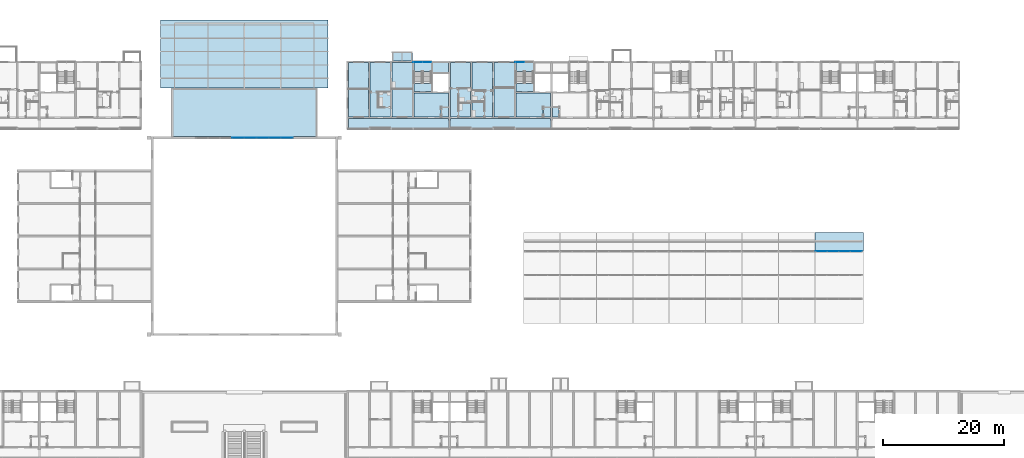
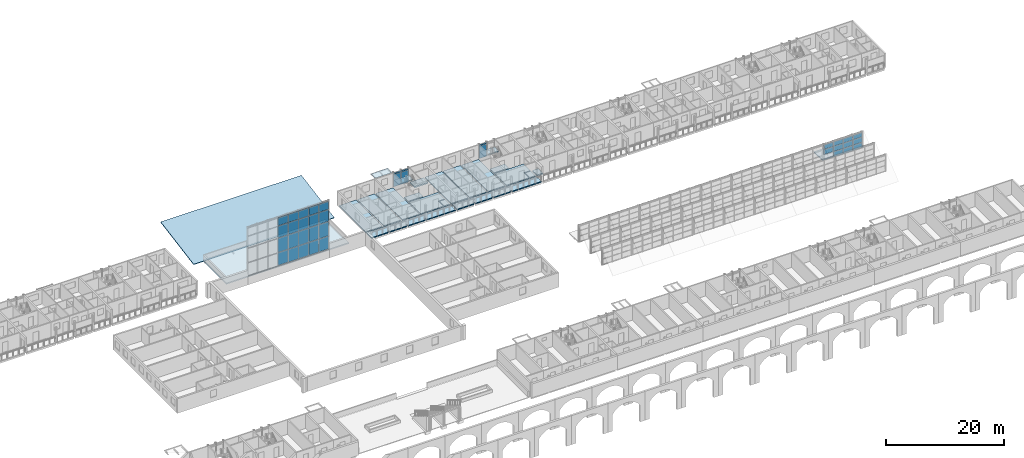
# One storey, part 51 of 122: 37 plates, 22 slabs, 6 elements without a shape of their own.
"""IFC4 building model written with IfcOpenShell, lengths in metres."""

from ifc_helpers import new_model, si_unit, direction, frame, origin, origin_2d, place, context, subcontext, project, spatial, polyline, rectangle, outline, extrude, material, layer, layer_set, type_object, element, aggregate, save


model = new_model("IFC4")

# Units and contexts
model_context = context("Model", 3, precision=1e-05, world=origin(), true_north=direction((0.0, 1.0)))
body_context = subcontext(model_context, "Body", "Model", "MODEL_VIEW")
ifc_project = project(units=[si_unit("LENGTHUNIT", "METRE"), si_unit("AREAUNIT", "SQUARE_METRE"), si_unit("VOLUMEUNIT", "CUBIC_METRE"), si_unit("PLANEANGLEUNIT", "RADIAN"), si_unit("MASSUNIT", "GRAM", prefix="KILO")], contexts=[model_context])

# Site, building, storey
site_placement = place(None, origin())
site = spatial("IfcSite", under=ifc_project, at=site_placement, CompositionType="ELEMENT")
building_placement = place(site_placement, origin())
building = spatial("IfcBuilding", under=site, at=building_placement, Name="Ridgestep Commons", CompositionType="ELEMENT")
storey_placement = place(building_placement, frame((0.0, 0.0, 3.0)))
storey = spatial("IfcBuildingStorey", under=building, at=storey_placement, Name="L01", CompositionType="ELEMENT", Elevation=3.0)

# Slab
ifc_material_1 = material(Name="Precast concrete C40/50", Category="concrete")
ifc_layer_1 = layer(ifc_material_1, 0.1201171875)
ifc_layer_set_1 = layer_set([ifc_layer_1], Name="Canopy roof deck 120 C40/50")
slab_type_1 = type_object("IfcSlabType", Name="Canopy roof deck 120 C40/50", PredefinedType="ROOF", material=ifc_layer_set_1)
slab_1_placement = place(storey_placement, frame((116.0, 72.800048828125, 1.201904296875), z_axis=(0.0, -0.175812176845, 0.984423729129), x_axis=(1.0, 0.0, 0.0)))
element("IfcSlab", 1, at=slab_1_placement, inside=storey, type_object=slab_type_1, Name="Canopy roof deck", PredefinedType="ROOF", context=body_context, shape_type="SweptSolid", body=[
    extrude(outline(polyline([(0.0, 0.0), (27.60009765625, 0.0), (27.60009765625, 11.37716497526905), (0.0, 11.37716497526905), (0.0, 0.0)])), origin(), (0.0, 0.0, -1.0), 0.1201171875),
])

# Curtain wall, plates
ifc_material_2 = material(Name="Aluminium and glass", Category="aluminium")
ifc_layer_2 = layer(ifc_material_2, 0.14990234375)
ifc_layer_set_2 = layer_set([ifc_layer_2], Name="Shop clerestory curtain wall")
curtain_wall_type_1 = type_object("IfcCurtainWallType", Name="Shop clerestory curtain wall", PredefinedType="NOTDEFINED", material=ifc_layer_set_2)
curtain_wall_1_placement = place(storey_placement, origin())
curtain_wall_1 = element("IfcCurtainWall", 2, at=curtain_wall_1_placement, inside=storey, type_object=curtain_wall_type_1, Name="Shop clerestory curtain wall", PredefinedType="NOTDEFINED")
ifc_material_3 = material(Name="Glass", Category="glass")
ifc_layer_3 = layer(ifc_material_3, 0.011962890625)
ifc_layer_set_3 = layer_set([ifc_layer_3], Name="Community glass panel 12")
plate_type_1 = type_object("IfcPlateType", Name="Community glass panel 12", PredefinedType="CURTAIN_PANEL", material=ifc_layer_set_3)
plate_1_placement = place(storey_placement, frame((224.890625, 45.89990234375, 2.4248046875), z_axis=(0.0, 0.0, 1.0), x_axis=(1.0, 0.0, 0.0)))
plate_1 = element("IfcPlate", 3, at=plate_1_placement, type_object=plate_type_1, Name="CW5 panel 1.2", PredefinedType="CURTAIN_PANEL", context=body_context, shape_type="SweptSolid", body=[
    extrude(rectangle(XDim=1.831298828125, YDim=0.011962890625, at=origin_2d()), origin(), (0.0, 0.0, 1.0), 1.050048828125),
])
plate_2_placement = place(storey_placement, frame((224.890625, 45.89990234375, 3.52490234375), z_axis=(0.0, 0.0, 1.0), x_axis=(1.0, 0.0, 0.0)))
plate_2 = element("IfcPlate", 4, at=plate_2_placement, type_object=plate_type_1, Name="CW5 panel 1.3", PredefinedType="CURTAIN_PANEL", context=body_context, shape_type="SweptSolid", body=[
    extrude(rectangle(XDim=1.831298828125, YDim=0.011962890625, at=origin_2d()), origin(), (0.0, 0.0, 1.0), 0.925048828125),
])
plate_3_placement = place(storey_placement, frame((226.784423828125, 45.89990234375, 1.25), z_axis=(0.0, 0.0, 1.0), x_axis=(1.0, 0.0, 0.0)))
plate_3 = element("IfcPlate", 5, at=plate_3_placement, type_object=plate_type_1, Name="CW5 panel 2.1", PredefinedType="CURTAIN_PANEL", context=body_context, shape_type="SweptSolid", body=[
    extrude(rectangle(XDim=1.856201171875, YDim=0.011962890625, at=origin_2d()), origin(), (0.0, 0.0, 1.0), 1.125),
])
plate_4_placement = place(storey_placement, frame((226.784423828125, 45.89990234375, 2.4248046875), z_axis=(0.0, 0.0, 1.0), x_axis=(1.0, 0.0, 0.0)))
plate_4 = element("IfcPlate", 6, at=plate_4_placement, type_object=plate_type_1, Name="CW5 panel 2.2", PredefinedType="CURTAIN_PANEL", context=body_context, shape_type="SweptSolid", body=[
    extrude(rectangle(XDim=1.856201171875, YDim=0.011962890625, at=origin_2d()), origin(), (0.0, 0.0, 1.0), 1.050048828125),
])
plate_5_placement = place(storey_placement, frame((226.784423828125, 45.89990234375, 3.52490234375), z_axis=(0.0, 0.0, 1.0), x_axis=(1.0, 0.0, 0.0)))
plate_5 = element("IfcPlate", 7, at=plate_5_placement, type_object=plate_type_1, Name="CW5 panel 2.3", PredefinedType="CURTAIN_PANEL", context=body_context, shape_type="SweptSolid", body=[
    extrude(rectangle(XDim=1.856201171875, YDim=0.011962890625, at=origin_2d()), origin(), (0.0, 0.0, 1.0), 0.925048828125),
])
plate_6_placement = place(storey_placement, frame((228.690673828125, 45.89990234375, 1.25), z_axis=(0.0, 0.0, 1.0), x_axis=(1.0, 0.0, 0.0)))
plate_6 = element("IfcPlate", 8, at=plate_6_placement, type_object=plate_type_1, Name="CW5 panel 3.1", PredefinedType="CURTAIN_PANEL", context=body_context, shape_type="SweptSolid", body=[
    extrude(rectangle(XDim=1.856201171875, YDim=0.011962890625, at=origin_2d()), origin(), (0.0, 0.0, 1.0), 1.125),
])
plate_7_placement = place(storey_placement, frame((228.690673828125, 45.89990234375, 2.4248046875), z_axis=(0.0, 0.0, 1.0), x_axis=(1.0, 0.0, 0.0)))
plate_7 = element("IfcPlate", 9, at=plate_7_placement, type_object=plate_type_1, Name="CW5 panel 3.2", PredefinedType="CURTAIN_PANEL", context=body_context, shape_type="SweptSolid", body=[
    extrude(rectangle(XDim=1.856201171875, YDim=0.011962890625, at=origin_2d()), origin(), (0.0, 0.0, 1.0), 1.050048828125),
])
plate_8_placement = place(storey_placement, frame((228.690673828125, 45.89990234375, 3.52490234375), z_axis=(0.0, 0.0, 1.0), x_axis=(1.0, 0.0, 0.0)))
plate_8 = element("IfcPlate", 10, at=plate_8_placement, type_object=plate_type_1, Name="CW5 panel 3.3", PredefinedType="CURTAIN_PANEL", context=body_context, shape_type="SweptSolid", body=[
    extrude(rectangle(XDim=1.856201171875, YDim=0.011962890625, at=origin_2d()), origin(), (0.0, 0.0, 1.0), 0.925048828125),
])
plate_9_placement = place(storey_placement, frame((230.58447265625, 45.89990234375, 1.25), z_axis=(0.0, 0.0, 1.0), x_axis=(1.0, 0.0, 0.0)))
plate_9 = element("IfcPlate", 11, at=plate_9_placement, type_object=plate_type_1, Name="CW5 panel 4.1", PredefinedType="CURTAIN_PANEL", context=body_context, shape_type="SweptSolid", body=[
    extrude(rectangle(XDim=1.831298828125, YDim=0.011962890625, at=origin_2d()), origin(), (0.0, 0.0, 1.0), 1.125),
])
plate_10_placement = place(storey_placement, frame((230.58447265625, 45.89990234375, 2.4248046875), z_axis=(0.0, 0.0, 1.0), x_axis=(1.0, 0.0, 0.0)))
plate_10 = element("IfcPlate", 12, at=plate_10_placement, type_object=plate_type_1, Name="CW5 panel 4.2", PredefinedType="CURTAIN_PANEL", context=body_context, shape_type="SweptSolid", body=[
    extrude(rectangle(XDim=1.831298828125, YDim=0.011962890625, at=origin_2d()), origin(), (0.0, 0.0, 1.0), 1.050048828125),
])
plate_11_placement = place(storey_placement, frame((230.58447265625, 45.89990234375, 3.52490234375), z_axis=(0.0, 0.0, 1.0), x_axis=(1.0, 0.0, 0.0)))
plate_11 = element("IfcPlate", 13, at=plate_11_placement, type_object=plate_type_1, Name="CW5 panel 4.3", PredefinedType="CURTAIN_PANEL", context=body_context, shape_type="SweptSolid", body=[
    extrude(rectangle(XDim=1.831298828125, YDim=0.011962890625, at=origin_2d()), origin(), (0.0, 0.0, 1.0), 0.925048828125),
])
aggregate(curtain_wall_1, [plate_1, plate_2, plate_3, plate_4, plate_5, plate_6, plate_7, plate_8, plate_9, plate_10, plate_11])

ifc_material_4 = material(Name="Aluminium and glass", Category="aluminium")
ifc_layer_4 = layer(ifc_material_4, 0.199951171875)
ifc_layer_set_4 = layer_set([ifc_layer_4], Name="Hall gable curtain wall")
curtain_wall_type_2 = type_object("IfcCurtainWallType", Name="Hall gable curtain wall", PredefinedType="NOTDEFINED", material=ifc_layer_set_4)
curtain_wall_2_placement = place(storey_placement, origin())
curtain_wall_2 = element("IfcCurtainWall", 14, at=curtain_wall_2_placement, inside=storey, type_object=curtain_wall_type_2, Name="Hall gable curtain wall", PredefinedType="NOTDEFINED")
ifc_material_5 = material(Name="Glass", Category="glass")
ifc_layer_5 = layer(ifc_material_5, 0.028076171875)
ifc_layer_set_5 = layer_set([ifc_layer_5], Name="Community glass panel 28")
plate_type_2 = type_object("IfcPlateType", Name="Community glass panel 28", PredefinedType="CURTAIN_PANEL", material=ifc_layer_set_5)
plate_12_placement = place(storey_placement, frame((128.800048828125, 64.60009765625, 1.81005859375), z_axis=(0.0, 0.0, 1.0), x_axis=(1.0, 0.0, 0.0)))
plate_12 = element("IfcPlate", 15, at=plate_12_placement, type_object=plate_type_2, Name="CW4 panel 4.1", PredefinedType="CURTAIN_PANEL", context=body_context, shape_type="SweptSolid", body=[
    extrude(rectangle(XDim=1.93994140625, YDim=0.028076171875, at=origin_2d()), origin(), (0.0, 0.0, 1.0), 2.659912109375),
])
plate_13_placement = place(storey_placement, frame((128.800048828125, 64.60009765625, 4.530029296875), z_axis=(0.0, 0.0, 1.0), x_axis=(1.0, 0.0, 0.0)))
plate_13 = element("IfcPlate", 16, at=plate_13_placement, type_object=plate_type_2, Name="CW4 panel 4.2", PredefinedType="CURTAIN_PANEL", context=body_context, shape_type="SweptSolid", body=[
    extrude(rectangle(XDim=1.93994140625, YDim=0.028076171875, at=origin_2d()), origin(), (0.0, 0.0, 1.0), 2.93994140625),
])
plate_14_placement = place(storey_placement, frame((128.800048828125, 64.60009765625, 7.530029296875), z_axis=(0.0, 0.0, 1.0), x_axis=(1.0, 0.0, 0.0)))
plate_14 = element("IfcPlate", 17, at=plate_14_placement, type_object=plate_type_2, Name="CW4 panel 4.3", PredefinedType="CURTAIN_PANEL", context=body_context, shape_type="SweptSolid", body=[
    extrude(rectangle(XDim=1.93994140625, YDim=0.028076171875, at=origin_2d()), origin(), (0.0, 0.0, 1.0), 2.43994140625),
])
plate_15_placement = place(storey_placement, frame((128.800048828125, 64.60009765625, 10.0302734375), z_axis=(0.0, 0.0, 1.0), x_axis=(1.0, 0.0, 0.0)))
plate_15 = element("IfcPlate", 18, at=plate_15_placement, type_object=plate_type_2, Name="CW4 panel 4.4", PredefinedType="CURTAIN_PANEL", context=body_context, shape_type="SweptSolid", body=[
    extrude(rectangle(XDim=1.93994140625, YDim=0.028076171875, at=origin_2d()), origin(), (0.0, 0.0, 1.0), 1.659912109375),
])
plate_16_placement = place(storey_placement, frame((130.800048828125, 64.60009765625, 1.81005859375), z_axis=(0.0, 0.0, 1.0), x_axis=(1.0, 0.0, 0.0)))
plate_16 = element("IfcPlate", 19, at=plate_16_placement, type_object=plate_type_2, Name="CW4 panel 5.1", PredefinedType="CURTAIN_PANEL", context=body_context, shape_type="SweptSolid", body=[
    extrude(rectangle(XDim=1.93994140625, YDim=0.028076171875, at=origin_2d()), origin(), (0.0, 0.0, 1.0), 2.659912109375),
])
plate_17_placement = place(storey_placement, frame((130.800048828125, 64.60009765625, 4.530029296875), z_axis=(0.0, 0.0, 1.0), x_axis=(1.0, 0.0, 0.0)))
plate_17 = element("IfcPlate", 20, at=plate_17_placement, type_object=plate_type_2, Name="CW4 panel 5.2", PredefinedType="CURTAIN_PANEL", context=body_context, shape_type="SweptSolid", body=[
    extrude(rectangle(XDim=1.93994140625, YDim=0.028076171875, at=origin_2d()), origin(), (0.0, 0.0, 1.0), 2.93994140625),
])
plate_18_placement = place(storey_placement, frame((130.800048828125, 64.60009765625, 7.530029296875), z_axis=(0.0, 0.0, 1.0), x_axis=(1.0, 0.0, 0.0)))
plate_18 = element("IfcPlate", 21, at=plate_18_placement, type_object=plate_type_2, Name="CW4 panel 5.3", PredefinedType="CURTAIN_PANEL", context=body_context, shape_type="SweptSolid", body=[
    extrude(rectangle(XDim=1.93994140625, YDim=0.028076171875, at=origin_2d()), origin(), (0.0, 0.0, 1.0), 2.43994140625),
])
plate_19_placement = place(storey_placement, frame((130.800048828125, 64.60009765625, 10.0302734375), z_axis=(0.0, 0.0, 1.0), x_axis=(1.0, 0.0, 0.0)))
plate_19 = element("IfcPlate", 22, at=plate_19_placement, type_object=plate_type_2, Name="CW4 panel 5.4", PredefinedType="CURTAIN_PANEL", context=body_context, shape_type="SweptSolid", body=[
    extrude(rectangle(XDim=1.93994140625, YDim=0.028076171875, at=origin_2d()), origin(), (0.0, 0.0, 1.0), 1.659912109375),
])
plate_20_placement = place(storey_placement, frame((132.800048828125, 64.60009765625, 1.81005859375), z_axis=(0.0, 0.0, 1.0), x_axis=(1.0, 0.0, 0.0)))
plate_20 = element("IfcPlate", 23, at=plate_20_placement, type_object=plate_type_2, Name="CW4 panel 6.1", PredefinedType="CURTAIN_PANEL", context=body_context, shape_type="SweptSolid", body=[
    extrude(rectangle(XDim=1.93994140625, YDim=0.028076171875, at=origin_2d()), origin(), (0.0, 0.0, 1.0), 2.659912109375),
])
plate_21_placement = place(storey_placement, frame((132.800048828125, 64.60009765625, 4.530029296875), z_axis=(0.0, 0.0, 1.0), x_axis=(1.0, 0.0, 0.0)))
plate_21 = element("IfcPlate", 24, at=plate_21_placement, type_object=plate_type_2, Name="CW4 panel 6.2", PredefinedType="CURTAIN_PANEL", context=body_context, shape_type="SweptSolid", body=[
    extrude(rectangle(XDim=1.93994140625, YDim=0.028076171875, at=origin_2d()), origin(), (0.0, 0.0, 1.0), 2.93994140625),
])
plate_22_placement = place(storey_placement, frame((132.800048828125, 64.60009765625, 7.530029296875), z_axis=(0.0, 0.0, 1.0), x_axis=(1.0, 0.0, 0.0)))
plate_22 = element("IfcPlate", 25, at=plate_22_placement, type_object=plate_type_2, Name="CW4 panel 6.3", PredefinedType="CURTAIN_PANEL", context=body_context, shape_type="SweptSolid", body=[
    extrude(rectangle(XDim=1.93994140625, YDim=0.028076171875, at=origin_2d()), origin(), (0.0, 0.0, 1.0), 2.43994140625),
])
plate_23_placement = place(storey_placement, frame((132.800048828125, 64.60009765625, 10.0302734375), z_axis=(0.0, 0.0, 1.0), x_axis=(1.0, 0.0, 0.0)))
plate_23 = element("IfcPlate", 26, at=plate_23_placement, type_object=plate_type_2, Name="CW4 panel 6.4", PredefinedType="CURTAIN_PANEL", context=body_context, shape_type="SweptSolid", body=[
    extrude(rectangle(XDim=1.93994140625, YDim=0.028076171875, at=origin_2d()), origin(), (0.0, 0.0, 1.0), 1.659912109375),
])
plate_24_placement = place(storey_placement, frame((134.800048828125, 64.60009765625, 1.81005859375), z_axis=(0.0, 0.0, 1.0), x_axis=(1.0, 0.0, 0.0)))
plate_24 = element("IfcPlate", 27, at=plate_24_placement, type_object=plate_type_2, Name="CW4 panel 7.1", PredefinedType="CURTAIN_PANEL", context=body_context, shape_type="SweptSolid", body=[
    extrude(rectangle(XDim=1.93994140625, YDim=0.028076171875, at=origin_2d()), origin(), (0.0, 0.0, 1.0), 2.659912109375),
])
plate_25_placement = place(storey_placement, frame((134.800048828125, 64.60009765625, 4.530029296875), z_axis=(0.0, 0.0, 1.0), x_axis=(1.0, 0.0, 0.0)))
plate_25 = element("IfcPlate", 28, at=plate_25_placement, type_object=plate_type_2, Name="CW4 panel 7.2", PredefinedType="CURTAIN_PANEL", context=body_context, shape_type="SweptSolid", body=[
    extrude(rectangle(XDim=1.93994140625, YDim=0.028076171875, at=origin_2d()), origin(), (0.0, 0.0, 1.0), 2.93994140625),
])
plate_26_placement = place(storey_placement, frame((134.800048828125, 64.60009765625, 7.530029296875), z_axis=(0.0, 0.0, 1.0), x_axis=(1.0, 0.0, 0.0)))
plate_26 = element("IfcPlate", 29, at=plate_26_placement, type_object=plate_type_2, Name="CW4 panel 7.3", PredefinedType="CURTAIN_PANEL", context=body_context, shape_type="SweptSolid", body=[
    extrude(rectangle(XDim=1.93994140625, YDim=0.028076171875, at=origin_2d()), origin(), (0.0, 0.0, 1.0), 2.43994140625),
])
plate_27_placement = place(storey_placement, frame((134.800048828125, 64.60009765625, 10.0302734375), z_axis=(0.0, 0.0, 1.0), x_axis=(1.0, 0.0, 0.0)))
plate_27 = element("IfcPlate", 30, at=plate_27_placement, type_object=plate_type_2, Name="CW4 panel 7.4", PredefinedType="CURTAIN_PANEL", context=body_context, shape_type="SweptSolid", body=[
    extrude(rectangle(XDim=1.93994140625, YDim=0.028076171875, at=origin_2d()), origin(), (0.0, 0.0, 1.0), 1.659912109375),
])
plate_28_placement = place(storey_placement, frame((136.784912109375, 64.60009765625, 1.81005859375), z_axis=(0.0, 0.0, 1.0), x_axis=(1.0, 0.0, 0.0)))
plate_28 = element("IfcPlate", 31, at=plate_28_placement, type_object=plate_type_2, Name="CW4 panel 8.1", PredefinedType="CURTAIN_PANEL", context=body_context, shape_type="SweptSolid", body=[
    extrude(rectangle(XDim=1.909912109375, YDim=0.028076171875, at=origin_2d()), origin(), (0.0, 0.0, 1.0), 2.659912109375),
])
plate_29_placement = place(storey_placement, frame((136.784912109375, 64.60009765625, 4.530029296875), z_axis=(0.0, 0.0, 1.0), x_axis=(1.0, 0.0, 0.0)))
plate_29 = element("IfcPlate", 32, at=plate_29_placement, type_object=plate_type_2, Name="CW4 panel 8.2", PredefinedType="CURTAIN_PANEL", context=body_context, shape_type="SweptSolid", body=[
    extrude(rectangle(XDim=1.909912109375, YDim=0.028076171875, at=origin_2d()), origin(), (0.0, 0.0, 1.0), 2.93994140625),
])
plate_30_placement = place(storey_placement, frame((136.784912109375, 64.60009765625, 7.530029296875), z_axis=(0.0, 0.0, 1.0), x_axis=(1.0, 0.0, 0.0)))
plate_30 = element("IfcPlate", 33, at=plate_30_placement, type_object=plate_type_2, Name="CW4 panel 8.3", PredefinedType="CURTAIN_PANEL", context=body_context, shape_type="SweptSolid", body=[
    extrude(rectangle(XDim=1.909912109375, YDim=0.028076171875, at=origin_2d()), origin(), (0.0, 0.0, 1.0), 2.43994140625),
])
plate_31_placement = place(storey_placement, frame((136.784912109375, 64.60009765625, 10.0302734375), z_axis=(0.0, 0.0, 1.0), x_axis=(1.0, 0.0, 0.0)))
plate_31 = element("IfcPlate", 34, at=plate_31_placement, type_object=plate_type_2, Name="CW4 panel 8.4", PredefinedType="CURTAIN_PANEL", context=body_context, shape_type="SweptSolid", body=[
    extrude(rectangle(XDim=1.909912109375, YDim=0.028076171875, at=origin_2d()), origin(), (0.0, 0.0, 1.0), 1.659912109375),
])
aggregate(curtain_wall_2, [plate_12, plate_13, plate_14, plate_15, plate_16, plate_17, plate_18, plate_19, plate_20, plate_21, plate_22, plate_23, plate_24, plate_25, plate_26, plate_27, plate_28, plate_29, plate_30, plate_31])

# Slabs
ifc_material_6 = material(Name="Precast concrete C50/60", Category="concrete")
ifc_layer_6 = layer(ifc_material_6, 0.25)
ifc_layer_set_6 = layer_set([ifc_layer_6], Name="Foyer roof slab 250")
slab_type_2 = type_object("IfcSlabType", Name="Foyer roof slab 250", PredefinedType="ROOF", material=ifc_layer_set_6)
slab_2_placement = place(storey_placement, frame((0.0, 0.0, 1.25)))
element("IfcSlab", 35, at=slab_2_placement, inside=storey, type_object=slab_type_2, Name="Foyer roof slab 250", PredefinedType="ROOF", context=body_context, shape_type="SweptSolid", body=[
    extrude(outline(polyline([(117.800048828125, 64.800048828125), (141.800048828125, 64.800048828125), (141.800048828125, 72.800048828125), (117.800048828125, 72.800048828125), (117.800048828125, 64.800048828125)])), origin(), (0.0, 0.0, 1.0), 0.25),
])
ifc_material_7 = material(Name="Precast concrete C40/50", Category="concrete")
ifc_layer_7 = layer(ifc_material_7, 0.199951171875)
ifc_layer_set_7 = layer_set([ifc_layer_7], Name="Gallery slab 200")
slab_type_3 = type_object("IfcSlabType", Name="Gallery slab 200", PredefinedType="FLOOR", material=ifc_layer_set_7)
slab_3_placement = place(storey_placement, frame((0.0, 0.0, -0.199951171875)))
element("IfcSlab", 36, at=slab_3_placement, inside=storey, type_object=slab_type_3, Name="Gallery slab C1 L01", PredefinedType="FLOOR", context=body_context, shape_type="SweptSolid", body=[
    extrude(outline(polyline([(163.449951171875, 67.800048828125), (146.949951171875, 67.800048828125), (146.949951171875, 66.0), (150.27490234375, 66.0), (150.27490234375, 66.25), (150.52490234375, 66.25), (150.52490234375, 66.0), (153.875, 66.0), (153.875, 66.25), (154.125, 66.25), (154.125, 66.0), (157.47509765625, 66.0), (157.47509765625, 66.25), (157.72509765625, 66.25), (157.72509765625, 66.0), (163.449951171875, 66.0), (163.449951171875, 67.800048828125)])), origin(), (0.0, 0.0, 1.0), 0.199951171875),
])
slab_4_placement = place(storey_placement, frame((0.0, 0.0, -0.199951171875)))
element("IfcSlab", 37, at=slab_4_placement, inside=storey, type_object=slab_type_3, Name="Gallery slab C2 L01", PredefinedType="FLOOR", context=body_context, shape_type="SweptSolid", body=[
    extrude(outline(polyline([(180.25, 67.800048828125), (163.75, 67.800048828125), (163.75, 66.0), (167.074951171875, 66.0), (167.074951171875, 66.25), (167.324951171875, 66.25), (167.324951171875, 66.0), (170.675048828125, 66.0), (170.675048828125, 66.25), (170.925048828125, 66.25), (170.925048828125, 66.0), (174.27490234375, 66.0), (174.27490234375, 66.25), (174.52490234375, 66.25), (174.52490234375, 66.0), (180.25, 66.0), (180.25, 67.800048828125)])), origin(), (0.0, 0.0, 1.0), 0.199951171875),
])

# Curtain wall, plates
ifc_material_8 = material(Name="Aluminium 6063-T6 and glass", Category="aluminium")
curtain_wall_type_3 = type_object("IfcCurtainWallType", Name="Curtain wall stair strip", PredefinedType="NOTDEFINED", material=ifc_material_8)
curtain_wall_3_placement = place(storey_placement, origin())
curtain_wall_3 = element("IfcCurtainWall", 38, at=curtain_wall_3_placement, inside=storey, type_object=curtain_wall_type_3, Name="Curtain wall C1C level 01", PredefinedType="NOTDEFINED")
ifc_material_9 = material(Name="Glass laminated 6/16/6 low-emissivity", Category="glass")
ifc_layer_8 = layer(ifc_material_9, 0.028076171875)
ifc_layer_set_8 = layer_set([ifc_layer_8], Name="Glazing panel 28")
plate_type_3 = type_object("IfcPlateType", Name="Glazing panel 28", PredefinedType="CURTAIN_PANEL", material=ifc_layer_set_8)
plate_32_placement = place(storey_placement, frame((158.371337890625, 77.080078125, 0.06005859375), z_axis=(0.0, 0.0, 1.0), x_axis=(1.0, 0.0, 0.0)))
plate_32 = element("IfcPlate", 39, at=plate_32_placement, type_object=plate_type_3, Name="CW1 panel 1.1", PredefinedType="CURTAIN_PANEL", context=body_context, shape_type="SweptSolid", body=[
    extrude(rectangle(XDim=1.422607421875, YDim=0.028076171875, at=origin_2d()), origin(), (0.0, 0.0, 1.0), 2.5),
])
plate_33_placement = place(storey_placement, frame((159.853759765625, 77.080078125, 0.06005859375), z_axis=(0.0, 0.0, 1.0), x_axis=(1.0, 0.0, 0.0)))
plate_33 = element("IfcPlate", 40, at=plate_33_placement, type_object=plate_type_3, Name="CW1 panel 2.1", PredefinedType="CURTAIN_PANEL", context=body_context, shape_type="SweptSolid", body=[
    extrude(rectangle(XDim=1.422607421875, YDim=0.028076171875, at=origin_2d()), origin(), (0.0, 0.0, 1.0), 2.5),
])

# Curtain wall, plate
curtain_wall_4_placement = place(storey_placement, origin())
curtain_wall_4 = element("IfcCurtainWall", 41, at=curtain_wall_4_placement, inside=storey, type_object=curtain_wall_type_3, Name="Curtain wall C2C level 01", PredefinedType="NOTDEFINED")
plate_34_placement = place(storey_placement, frame((175.171142578125, 77.080078125, 0.06005859375), z_axis=(0.0, 0.0, 1.0), x_axis=(1.0, 0.0, 0.0)))
plate_34 = element("IfcPlate", 42, at=plate_34_placement, type_object=plate_type_3, Name="CW1 panel 1.1", PredefinedType="CURTAIN_PANEL", context=body_context, shape_type="SweptSolid", body=[
    extrude(rectangle(XDim=1.422607421875, YDim=0.028076171875, at=origin_2d()), origin(), (0.0, 0.0, 1.0), 2.5),
])

# Slabs
ifc_material_10 = material(Name="Precast concrete C50/60", Category="concrete")
ifc_layer_9 = layer(ifc_material_10, 0.199951171875)
ifc_layer_set_9 = layer_set([ifc_layer_9], Name="Hollow-core plank 200")
slab_type_4 = type_object("IfcSlabType", Name="Hollow-core plank 200", PredefinedType="FLOOR", material=ifc_layer_set_9)
slab_5_placement = place(storey_placement, frame((0.0, 0.0, -0.199951171875)))
element("IfcSlab", 43, at=slab_5_placement, inside=storey, type_object=slab_type_4, Name="Floor plank C1T1 L01", PredefinedType="FLOOR", context=body_context, shape_type="SweptSolid", body=[
    extrude(outline(polyline([(150.27490234375, 68.0), (150.27490234375, 77.0), (146.949951171875, 77.0), (146.949951171875, 68.0), (150.27490234375, 68.0)])), origin(), (0.0, 0.0, 1.0), 0.199951171875),
])
slab_6_placement = place(storey_placement, frame((0.0, 0.0, -0.199951171875)))
element("IfcSlab", 44, at=slab_6_placement, inside=storey, type_object=slab_type_4, Name="Floor plank C1T2 L01", PredefinedType="FLOOR", context=body_context, shape_type="SweptSolid", body=[
    extrude(outline(polyline([(153.875, 68.0), (153.875, 77.0), (150.52490234375, 77.0), (150.52490234375, 68.0), (153.875, 68.0)])), origin(), (0.0, 0.0, 1.0), 0.199951171875),
])
slab_7_placement = place(storey_placement, frame((0.0, 0.0, -0.199951171875)))
element("IfcSlab", 45, at=slab_7_placement, inside=storey, type_object=slab_type_4, Name="Floor plank C1T3 L01", PredefinedType="FLOOR", context=body_context, shape_type="SweptSolid", body=[
    extrude(outline(polyline([(157.47509765625, 68.0), (157.47509765625, 77.0), (154.125, 77.0), (154.125, 68.0), (157.47509765625, 68.0)])), origin(), (0.0, 0.0, 1.0), 0.199951171875),
])
slab_8_placement = place(storey_placement, frame((0.0, 0.0, -0.199951171875)))
element("IfcSlab", 46, at=slab_8_placement, inside=storey, type_object=slab_type_4, Name="Floor plank C2T1 L01", PredefinedType="FLOOR", context=body_context, shape_type="SweptSolid", body=[
    extrude(outline(polyline([(167.10009765625, 68.0), (167.10009765625, 77.0), (163.75, 77.0), (163.75, 68.0), (167.10009765625, 68.0)])), origin(), (0.0, 0.0, 1.0), 0.199951171875),
])
slab_9_placement = place(storey_placement, frame((0.0, 0.0, -0.199951171875)))
element("IfcSlab", 47, at=slab_9_placement, inside=storey, type_object=slab_type_4, Name="Floor plank C2T2 L01", PredefinedType="FLOOR", context=body_context, shape_type="SweptSolid", body=[
    extrude(outline(polyline([(170.675048828125, 68.0), (170.675048828125, 77.0), (167.300048828125, 77.0), (167.300048828125, 68.0), (170.675048828125, 68.0)])), origin(), (0.0, 0.0, 1.0), 0.199951171875),
])
slab_10_placement = place(storey_placement, frame((0.0, 0.0, -0.199951171875)))
element("IfcSlab", 48, at=slab_10_placement, inside=storey, type_object=slab_type_4, Name="Floor plank C2T3 L01", PredefinedType="FLOOR", context=body_context, shape_type="SweptSolid", body=[
    extrude(outline(polyline([(174.27490234375, 68.0), (174.27490234375, 77.0), (170.925048828125, 77.0), (170.925048828125, 68.0), (174.27490234375, 68.0)])), origin(), (0.0, 0.0, 1.0), 0.199951171875),
])
ifc_material_11 = material(Name="Precast concrete C50/60", Category="concrete")
ifc_layer_10 = layer(ifc_material_11, 0.25)
ifc_layer_set_10 = layer_set([ifc_layer_10], Name="Hollow-core plank 250")
slab_type_5 = type_object("IfcSlabType", Name="Hollow-core plank 250", PredefinedType="FLOOR", material=ifc_layer_set_10)
slab_11_placement = place(storey_placement, frame((0.0, 0.0, -0.25)))
element("IfcSlab", 49, at=slab_11_placement, inside=storey, type_object=slab_type_5, Name="Floor plank C1C L01", PredefinedType="FLOOR", context=body_context, shape_type="SweptSolid", body=[
    extrude(outline(polyline([(162.320068359375, 69.719970703125), (163.449951171875, 69.719970703125), (163.449951171875, 72.0), (157.72509765625, 72.0), (157.72509765625, 68.0), (162.199951171875, 68.0), (162.199951171875, 69.719970703125), (162.320068359375, 69.719970703125)])), origin(), (0.0, 0.0, 1.0), 0.25),
])
slab_12_placement = place(storey_placement, frame((0.0, 0.0, -0.25)))
element("IfcSlab", 50, at=slab_12_placement, inside=storey, type_object=slab_type_5, Name="Floor plank C1C L01", PredefinedType="FLOOR", context=body_context, shape_type="SweptSolid", body=[
    extrude(outline(polyline([(163.449951171875, 75.39990234375), (163.449951171875, 77.0), (160.824951171875, 77.0), (160.824951171875, 75.39990234375), (163.449951171875, 75.39990234375)])), origin(), (0.0, 0.0, 1.0), 0.25),
])
slab_13_placement = place(storey_placement, frame((0.0, 0.0, -0.25)))
element("IfcSlab", 51, at=slab_13_placement, inside=storey, type_object=slab_type_5, Name="Floor plank C1C L01", PredefinedType="FLOOR", context=body_context, shape_type="SweptSolid", body=[
    extrude(outline(polyline([(160.625, 72.199951171875), (160.625, 73.60009765625), (157.72509765625, 73.60009765625), (157.72509765625, 72.199951171875), (160.625, 72.199951171875)])), origin(), (0.0, 0.0, 1.0), 0.25),
])
slab_14_placement = place(storey_placement, frame((0.0, 0.0, -0.25)))
element("IfcSlab", 52, at=slab_14_placement, inside=storey, type_object=slab_type_5, Name="Floor plank C1C L01", PredefinedType="FLOOR", context=body_context, shape_type="SweptSolid", body=[
    extrude(outline(polyline([(162.320068359375, 68.0), (163.449951171875, 68.0), (163.449951171875, 69.60009765625), (162.320068359375, 69.60009765625), (162.320068359375, 68.0)])), origin(), (0.0, 0.0, 1.0), 0.25),
])
slab_15_placement = place(storey_placement, frame((0.0, 0.0, -0.25)))
element("IfcSlab", 53, at=slab_15_placement, inside=storey, type_object=slab_type_5, Name="Floor plank C2C L01", PredefinedType="FLOOR", context=body_context, shape_type="SweptSolid", body=[
    extrude(outline(polyline([(179.1201171875, 69.719970703125), (180.25, 69.719970703125), (180.25, 72.0), (174.52490234375, 72.0), (174.52490234375, 68.0), (179.0, 68.0), (179.0, 69.719970703125), (179.1201171875, 69.719970703125)])), origin(), (0.0, 0.0, 1.0), 0.25),
])
slab_16_placement = place(storey_placement, frame((0.0, 0.0, -0.25)))
element("IfcSlab", 54, at=slab_16_placement, inside=storey, type_object=slab_type_5, Name="Floor plank C2C L01", PredefinedType="FLOOR", context=body_context, shape_type="SweptSolid", body=[
    extrude(outline(polyline([(177.425048828125, 72.199951171875), (177.425048828125, 73.60009765625), (174.52490234375, 73.60009765625), (174.52490234375, 72.199951171875), (177.425048828125, 72.199951171875)])), origin(), (0.0, 0.0, 1.0), 0.25),
])
slab_17_placement = place(storey_placement, frame((0.0, 0.0, -0.25)))
element("IfcSlab", 55, at=slab_17_placement, inside=storey, type_object=slab_type_5, Name="Floor plank C2C L01", PredefinedType="FLOOR", context=body_context, shape_type="SweptSolid", body=[
    extrude(outline(polyline([(179.1201171875, 68.0), (180.25, 68.0), (180.25, 69.60009765625), (179.1201171875, 69.60009765625), (179.1201171875, 68.0)])), origin(), (0.0, 0.0, 1.0), 0.25),
])
slab_18_placement = place(storey_placement, frame((0.0, 0.0, -0.25)))
element("IfcSlab", 56, at=slab_18_placement, inside=storey, type_object=slab_type_5, Name="Floor plank C3C L01", PredefinedType="FLOOR", context=body_context, shape_type="SweptSolid", body=[
    extrude(outline(polyline([(181.679931640625, 69.60009765625), (180.550048828125, 69.60009765625), (180.550048828125, 68.0), (181.679931640625, 68.0), (181.679931640625, 69.60009765625)])), origin(), (0.0, 0.0, 1.0), 0.25),
])
ifc_material_12 = material(Name="Precast concrete C50/60", Category="concrete")
ifc_layer_11 = layer(ifc_material_12, 0.199951171875)
ifc_layer_set_11 = layer_set([ifc_layer_11], Name="Shop roof plank 200")
slab_type_6 = type_object("IfcSlabType", Name="Shop roof plank 200", PredefinedType="ROOF", material=ifc_layer_set_11)
slab_19_placement = place(storey_placement, frame((223.800048828125, 46.0, 1.400390625), z_axis=(0.0, 0.059869626719, 0.998206205048), x_axis=(1.0, 0.0, 0.0)))
element("IfcSlab", 57, at=slab_19_placement, inside=storey, type_object=slab_type_6, Name="Shop arcade roof plank", PredefinedType="ROOF", context=body_context, shape_type="SweptSolid", body=[
    extrude(outline(polyline([(0.0, 0.0), (8.0, 0.0), (8.0, 3.0053910553034533), (0.0, 3.0053910553034533), (0.0, 0.0)])), origin(), (0.0, 0.0, -1.0), 0.199951171875),
])

# Plate
ifc_material_13 = material(Name="Aluminium 6063-T6 and mineral wool", Category="aluminium")
ifc_layer_12 = layer(ifc_material_13, 0.0400390625)
ifc_layer_set_12 = layer_set([ifc_layer_12], Name="Spandrel panel 40")
plate_type_4 = type_object("IfcPlateType", Name="Spandrel panel 40", PredefinedType="CURTAIN_PANEL", material=ifc_layer_set_12)
plate_35_placement = place(storey_placement, frame((158.371337890625, 77.080078125, 2.6201171875), z_axis=(0.0, 0.0, 1.0), x_axis=(1.0, 0.0, 0.0)))
plate_35 = element("IfcPlate", 58, at=plate_35_placement, type_object=plate_type_4, Name="CW1 panel 1.2", PredefinedType="CURTAIN_PANEL", context=body_context, shape_type="SweptSolid", body=[
    extrude(rectangle(XDim=1.422607421875, YDim=0.0400390625, at=origin_2d()), origin(), (0.0, 0.0, 1.0), 0.320068359375),
])

plate_36_placement = place(storey_placement, frame((159.853759765625, 77.080078125, 2.6201171875), z_axis=(0.0, 0.0, 1.0), x_axis=(1.0, 0.0, 0.0)))
plate_36 = element("IfcPlate", 59, at=plate_36_placement, type_object=plate_type_4, Name="CW1 panel 2.2", PredefinedType="CURTAIN_PANEL", context=body_context, shape_type="SweptSolid", body=[
    extrude(rectangle(XDim=1.422607421875, YDim=0.0400390625, at=origin_2d()), origin(), (0.0, 0.0, 1.0), 0.320068359375),
])

aggregate(curtain_wall_3, [plate_32, plate_35, plate_33, plate_36])

plate_37_placement = place(storey_placement, frame((175.171142578125, 77.080078125, 2.6201171875), z_axis=(0.0, 0.0, 1.0), x_axis=(1.0, 0.0, 0.0)))
plate_37 = element("IfcPlate", 60, at=plate_37_placement, type_object=plate_type_4, Name="CW1 panel 1.2", PredefinedType="CURTAIN_PANEL", context=body_context, shape_type="SweptSolid", body=[
    extrude(rectangle(XDim=1.422607421875, YDim=0.0400390625, at=origin_2d()), origin(), (0.0, 0.0, 1.0), 0.320068359375),
])

aggregate(curtain_wall_4, [plate_34, plate_37])

# Stair, slab
ifc_material_14 = material(Name="Precast concrete C40/50", Category="concrete")
stair_type = type_object("IfcStairType", Name="Escape stair 1400", PredefinedType="HALF_TURN_STAIR", material=ifc_material_14)
stair_1_placement = place(storey_placement, origin())
stair_1 = element("IfcStair", 61, at=stair_1_placement, inside=storey, type_object=stair_type, Name="L01 Escape stair C1C", PredefinedType="HALF_TURN_STAIR")
ifc_material_15 = material(Name="Precast concrete C40/50", Category="concrete")
ifc_layer_13 = layer(ifc_material_15, 0.199951171875)
ifc_layer_set_13 = layer_set([ifc_layer_13], Name="Stair landing 200")
slab_type_7 = type_object("IfcSlabType", Name="Stair landing 200", PredefinedType="LANDING", material=ifc_layer_set_13)
slab_20_placement = place(storey_placement, frame((0.0, 0.0, 1.300048828125)))
slab_20 = element("IfcSlab", 62, at=slab_20_placement, type_object=slab_type_7, Name="C1C landing 1", PredefinedType="LANDING", context=body_context, shape_type="SweptSolid", body=[
    extrude(outline(polyline([(160.625, 75.56005859375), (160.625, 77.0), (157.72509765625, 77.0), (157.72509765625, 75.56005859375), (160.625, 75.56005859375)])), origin(), (0.0, 0.0, 1.0), 0.199951171875),
])
aggregate(stair_1, [slab_20])

stair_2_placement = place(storey_placement, origin())
stair_2 = element("IfcStair", 63, at=stair_2_placement, inside=storey, type_object=stair_type, Name="L01 Escape stair C2C", PredefinedType="HALF_TURN_STAIR")
slab_21_placement = place(storey_placement, frame((0.0, 0.0, 1.300048828125)))
slab_21 = element("IfcSlab", 64, at=slab_21_placement, type_object=slab_type_7, Name="C2C landing 1", PredefinedType="LANDING", context=body_context, shape_type="SweptSolid", body=[
    extrude(outline(polyline([(177.425048828125, 75.56005859375), (177.425048828125, 77.0), (174.52490234375, 77.0), (174.52490234375, 75.56005859375), (177.425048828125, 75.56005859375)])), origin(), (0.0, 0.0, 1.0), 0.199951171875),
])
aggregate(stair_2, [slab_21])

# Slab
ifc_material_16 = material(Name="Weathering steel S355J2W", Category="steel")
ifc_layer_14 = layer(ifc_material_16, 0.010009765625)
ifc_layer_set_14 = layer_set([ifc_layer_14], Name="Tray 3.4 x 1.5")
slab_type_8 = type_object("IfcSlabType", Name="Tray 3.4 x 1.5", PredefinedType="FLOOR", material=ifc_layer_set_14)
slab_22_placement = place(storey_placement, frame((0.0, 0.0, 2.989990234375)))
element("IfcSlab", 65, at=slab_22_placement, inside=storey, type_object=slab_type_8, Name="Tray deck C1T3-02", PredefinedType="FLOOR", context=body_context, shape_type="SweptSolid", body=[
    extrude(outline(polyline([(154.1298828125, 77.25), (157.469970703125, 77.25), (157.469970703125, 78.75), (154.1298828125, 78.75), (154.1298828125, 77.25)])), origin(), (0.0, 0.0, 1.0), 0.010009765625),
])

save(model, "model.ifc")
